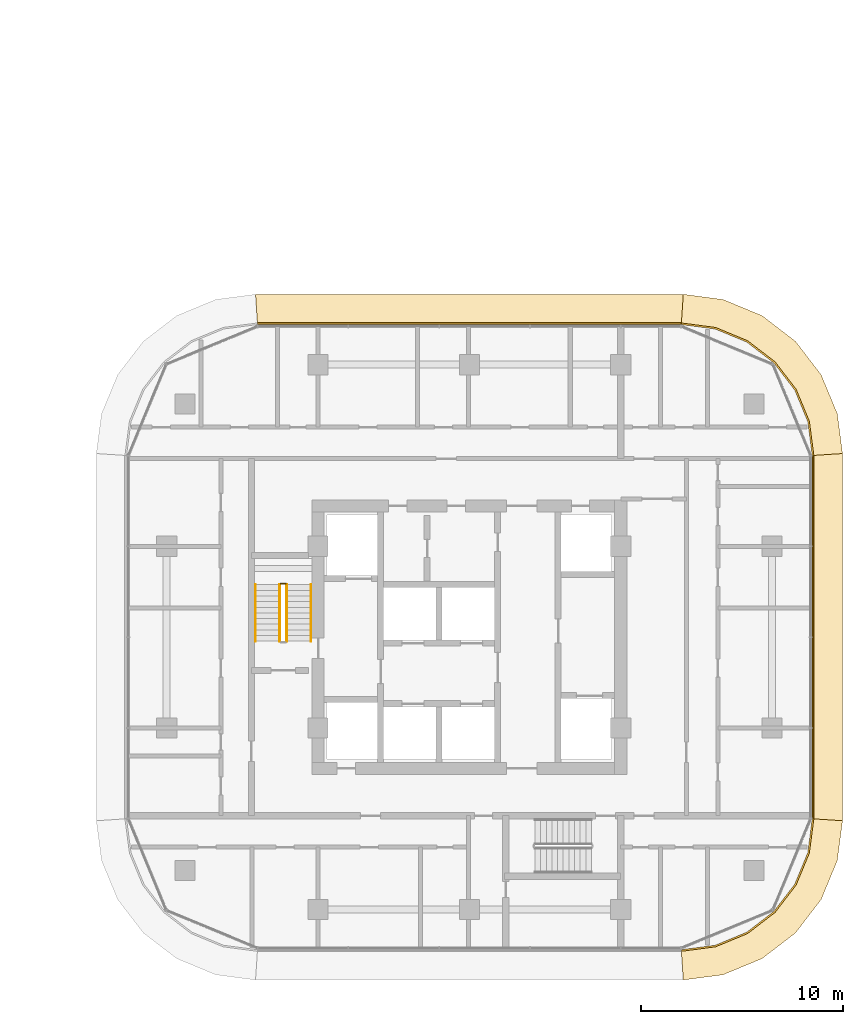
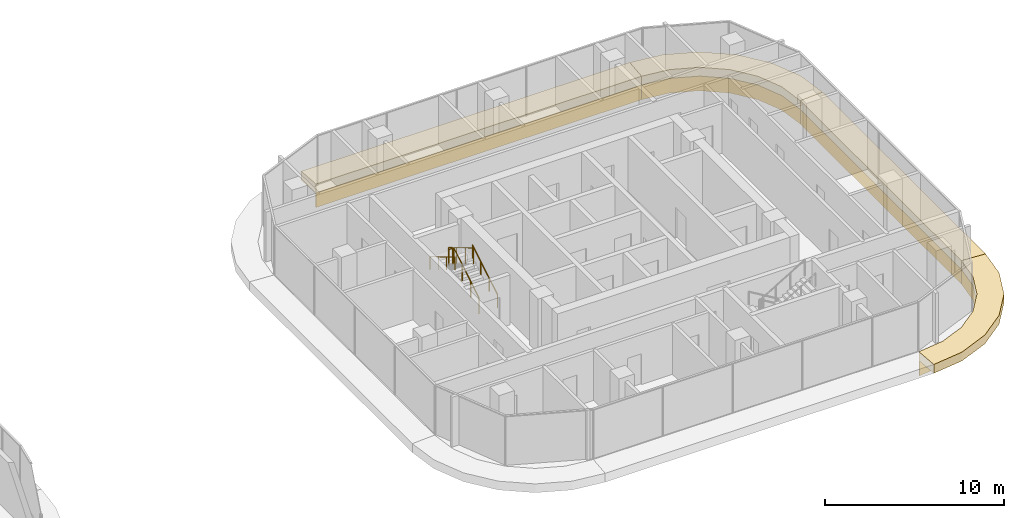
# One storey, part 36 of 36: 8 coverings, 5 railings.
"""IFC4 building model written with IfcOpenShell, lengths in metres."""

from ifc_helpers import new_model, si_unit, direction, frame, origin, origin_2d, place, context, subcontext, project, spatial, polyline, circle, outline, extrude, material, layer, layer_set, type_object, element, save


model = new_model("IFC4")

# Units and contexts
model_context = context("Model", 3, precision=1e-05, world=origin(), true_north=direction((0.0, 1.0)))
body_context = subcontext(model_context, "Body", "Model", "MODEL_VIEW")
ifc_project = project(units=[si_unit("LENGTHUNIT", "METRE"), si_unit("AREAUNIT", "SQUARE_METRE"), si_unit("VOLUMEUNIT", "CUBIC_METRE"), si_unit("PLANEANGLEUNIT", "RADIAN"), si_unit("MASSUNIT", "GRAM", prefix="KILO")], contexts=[model_context])

# Site, building, storey
site_placement = place(None, origin())
site = spatial("IfcSite", under=ifc_project, at=site_placement, CompositionType="ELEMENT")
building_placement = place(site_placement, origin())
building = spatial("IfcBuilding", under=site, at=building_placement, Name="Ogive Portal Towers", CompositionType="ELEMENT")
storey_placement = place(building_placement, frame((0.0, 0.0, 52.0)))
storey = spatial("IfcBuildingStorey", under=building, at=storey_placement, Name="L11", CompositionType="ELEMENT", Elevation=52.0)

# Railings
ifc_material_1 = material(Name="Stainless steel balustrade", Category="steel")
railing_type_1 = type_object("IfcRailingType", Name="INT-GUARD", PredefinedType="GUARDRAIL", material=ifc_material_1)
railing_1_placement = place(storey_placement, frame((127.449951171875, 30.800048828125, 0.168212890625)))
element("IfcRailing", 1, at=railing_1_placement, inside=storey, type_object=railing_type_1, Name="L11 ST-B1 stair guard 1", PredefinedType="GUARDRAIL", context=body_context, shape_type="SweptSolid", body=[
    extrude(circle(Radius=0.02392578125, at=origin_2d()), frame((0.0, 0.0, 1.076171875), z_axis=(0.0, 0.857242210791, 0.514913383045), x_axis=(-1.0, 0.0, 0.0)), (0.0, 0.0, 1.0), 3.266357421875),
    extrude(circle(Radius=0.02099609375, at=origin_2d()), origin(), (0.0, 0.0, 1.0), 1.052001953125),
    extrude(circle(Radius=0.02099609375, at=origin_2d()), frame((0.0, 0.933349609375, 0.560546875)), (0.0, 0.0, 1.0), 1.052001953125),
    extrude(circle(Radius=0.02099609375, at=origin_2d()), frame((0.0, 1.86669921875, 1.121337890625)), (0.0, 0.0, 1.0), 1.052001953125),
    extrude(circle(Radius=0.02099609375, at=origin_2d()), frame((0.0, 2.800048828125, 1.681884765625)), (0.0, 0.0, 1.0), 1.052001953125),
])
railing_2_placement = place(storey_placement, frame((127.39990234375, 33.64990234375, 1.85009765625)))
element("IfcRailing", 2, at=railing_2_placement, inside=storey, type_object=railing_type_1, Name="L11 ST-B1 stair guard 2", PredefinedType="GUARDRAIL", context=body_context, shape_type="SweptSolid", body=[
    extrude(circle(Radius=0.02392578125, at=origin_2d()), frame((0.0, 0.0, 1.076171875), z_axis=(-1.0, 0.0, 0.0), x_axis=(0.0, -1.0, 0.0)), (0.0, 0.0, 1.0), 0.25),
    extrude(circle(Radius=0.02099609375, at=origin_2d()), origin(), (0.0, 0.0, 1.0), 1.052001953125),
    extrude(circle(Radius=0.02099609375, at=origin_2d()), frame((-0.25, 0.0, 0.0)), (0.0, 0.0, 1.0), 1.052001953125),
])
railing_3_placement = place(storey_placement, frame((127.10009765625, 33.60009765625, 2.01806640625)))
element("IfcRailing", 3, at=railing_3_placement, inside=storey, type_object=railing_type_1, Name="L11 ST-B1 stair guard 3", PredefinedType="GUARDRAIL", context=body_context, shape_type="SweptSolid", body=[
    extrude(circle(Radius=0.02392578125, at=origin_2d()), frame((0.0, 0.0, 1.076171875), z_axis=(0.0, -0.857242210791, 0.514913383045), x_axis=(1.0, 0.0, 0.0)), (0.0, 0.0, 1.0), 3.266357421875),
    extrude(circle(Radius=0.02099609375, at=origin_2d()), origin(), (0.0, 0.0, 1.0), 1.052001953125),
    extrude(circle(Radius=0.02099609375, at=origin_2d()), frame((0.0, -0.933349609375, 0.560546875)), (0.0, 0.0, 1.0), 1.052001953125),
    extrude(circle(Radius=0.02099609375, at=origin_2d()), frame((0.0, -1.86669921875, 1.121337890625)), (0.0, 0.0, 1.0), 1.052001953125),
    extrude(circle(Radius=0.02099609375, at=origin_2d()), frame((0.0, -2.800048828125, 1.681884765625)), (0.0, 0.0, 1.0), 1.052001953125),
])
ifc_material_2 = material(Name="Stainless steel handrail", Category="steel")
railing_type_2 = type_object("IfcRailingType", Name="INT-HANDRAIL", PredefinedType="HANDRAIL", material=ifc_material_2)
railing_4_placement = place(storey_placement, frame((128.64990234375, 30.800048828125, 0.168212890625)))
element("IfcRailing", 4, at=railing_4_placement, inside=storey, type_object=railing_type_2, Name="L11 ST-B1 stair handrail 1", PredefinedType="HANDRAIL", context=body_context, shape_type="SweptSolid", body=[
    extrude(circle(Radius=0.02392578125, at=origin_2d()), frame((0.0, 0.0, 0.8759765625), z_axis=(0.0, 0.857242210791, 0.514913383045), x_axis=(-1.0, 0.0, 0.0)), (0.0, 0.0, 1.0), 3.266357421875),
    extrude(circle(Radius=0.02099609375, at=origin_2d()), origin(), (0.0, 0.0, 1.0), 0.851806640625),
    extrude(circle(Radius=0.02099609375, at=origin_2d()), frame((0.0, 0.933349609375, 0.560546875)), (0.0, 0.0, 1.0), 0.851806640625),
    extrude(circle(Radius=0.02099609375, at=origin_2d()), frame((0.0, 1.86669921875, 1.121337890625)), (0.0, 0.0, 1.0), 0.851806640625),
    extrude(circle(Radius=0.02099609375, at=origin_2d()), frame((0.0, 2.800048828125, 1.681884765625)), (0.0, 0.0, 1.0), 0.851806640625),
])
railing_5_placement = place(storey_placement, frame((125.89990234375, 33.60009765625, 2.01806640625)))
element("IfcRailing", 5, at=railing_5_placement, inside=storey, type_object=railing_type_2, Name="L11 ST-B1 stair handrail 2", PredefinedType="HANDRAIL", context=body_context, shape_type="SweptSolid", body=[
    extrude(circle(Radius=0.02392578125, at=origin_2d()), frame((0.0, 0.0, 0.8759765625), z_axis=(0.0, -0.857242210791, 0.514913383045), x_axis=(1.0, 0.0, 0.0)), (0.0, 0.0, 1.0), 3.266357421875),
    extrude(circle(Radius=0.02099609375, at=origin_2d()), origin(), (0.0, 0.0, 1.0), 0.851806640625),
    extrude(circle(Radius=0.02099609375, at=origin_2d()), frame((0.0, -0.933349609375, 0.560546875)), (0.0, 0.0, 1.0), 0.851806640625),
    extrude(circle(Radius=0.02099609375, at=origin_2d()), frame((0.0, -1.86669921875, 1.121337890625)), (0.0, 0.0, 1.0), 0.851806640625),
    extrude(circle(Radius=0.02099609375, at=origin_2d()), frame((0.0, -2.800048828125, 1.681884765625)), (0.0, 0.0, 1.0), 0.851806640625),
])

# Coverings
ifc_material_3 = material(Name="Limestone cladding on lightweight block wall", Category="masonry")
ifc_layer_1 = layer(ifc_material_3, 0.080078125)
ifc_layer_set_1 = layer_set([ifc_layer_1], Name="STONE SPANDREL 80")
covering_type_1 = type_object("IfcCoveringType", Name="STONE SPANDREL 80", PredefinedType="CLADDING", material=ifc_layer_set_1)
covering_1_placement = place(storey_placement, frame((0.0, 0.0, -1.60009765625)))
element("IfcCovering", 6, at=covering_1_placement, inside=storey, type_object=covering_type_1, Name="Stone spandrel B1-F03", PredefinedType="CLADDING", context=body_context, shape_type="SweptSolid", body=[
    extrude(outline(polyline([(147.0, 15.510009765625), (148.6796875, 15.731201171875), (150.2451171875, 16.37939453125), (151.589111328125, 17.410888671875), (152.62060546875, 18.7548828125), (153.268798828125, 20.3203125), (153.489990234375, 22.0), (153.570068359375, 21.994873046875), (153.3466796875, 20.29931640625), (152.6904296875, 18.714599609375), (151.646240234375, 17.353759765625), (150.285400390625, 16.3095703125), (148.70068359375, 15.6533203125), (147.005126953125, 15.429931640625), (147.0, 15.510009765625)])), origin(), (0.0, 0.0, 1.0), 1.0),
])
covering_2_placement = place(storey_placement, frame((0.0, 0.0, -1.60009765625)))
element("IfcCovering", 7, at=covering_2_placement, inside=storey, type_object=covering_type_1, Name="Stone spandrel B1-F04", PredefinedType="CLADDING", context=body_context, shape_type="SweptSolid", body=[
    extrude(outline(polyline([(153.489990234375, 22.0), (153.489990234375, 40.0), (153.570068359375, 40.005126953125), (153.570068359375, 21.994873046875), (153.489990234375, 22.0)])), origin(), (0.0, 0.0, 1.0), 1.0),
])
covering_3_placement = place(storey_placement, frame((0.0, 0.0, -1.60009765625)))
element("IfcCovering", 8, at=covering_3_placement, inside=storey, type_object=covering_type_1, Name="Stone spandrel B1-F05", PredefinedType="CLADDING", context=body_context, shape_type="SweptSolid", body=[
    extrude(outline(polyline([(153.489990234375, 40.0), (153.268798828125, 41.6796875), (152.62060546875, 43.2451171875), (151.589111328125, 44.589111328125), (150.2451171875, 45.62060546875), (148.6796875, 46.268798828125), (147.0, 46.489990234375), (147.005126953125, 46.570068359375), (148.70068359375, 46.3466796875), (150.285400390625, 45.6904296875), (151.646240234375, 44.646240234375), (152.6904296875, 43.285400390625), (153.3466796875, 41.70068359375), (153.570068359375, 40.005126953125), (153.489990234375, 40.0)])), origin(), (0.0, 0.0, 1.0), 1.0),
])
covering_4_placement = place(storey_placement, frame((0.0, 0.0, -1.60009765625)))
element("IfcCovering", 9, at=covering_4_placement, inside=storey, type_object=covering_type_1, Name="Stone spandrel B1-F06", PredefinedType="CLADDING", context=body_context, shape_type="SweptSolid", body=[
    extrude(outline(polyline([(147.0, 46.489990234375), (126.0, 46.489990234375), (125.994873046875, 46.570068359375), (147.005126953125, 46.570068359375), (147.0, 46.489990234375)])), origin(), (0.0, 0.0, 1.0), 1.0),
])
ifc_layer_2 = layer(ifc_material_3, 0.60009765625)
ifc_layer_set_2 = layer_set([ifc_layer_2], Name="SUNSHADE LIP 600")
covering_type_2 = type_object("IfcCoveringType", Name="SUNSHADE LIP 600", PredefinedType="CLADDING", material=ifc_layer_set_2)
covering_5_placement = place(storey_placement, frame((0.0, 0.0, -0.60009765625)))
element("IfcCovering", 10, at=covering_5_placement, inside=storey, type_object=covering_type_2, Name="Sunshade lip B1-F03", PredefinedType="CLADDING", context=body_context, shape_type="SweptSolid", body=[
    extrude(outline(polyline([(147.0, 15.510009765625), (148.6796875, 15.731201171875), (150.2451171875, 16.37939453125), (151.589111328125, 17.410888671875), (152.62060546875, 18.7548828125), (153.268798828125, 20.3203125), (153.489990234375, 22.0), (154.989990234375, 21.901611328125), (154.730224609375, 19.9287109375), (153.9306640625, 17.99853515625), (152.658935546875, 16.341064453125), (151.00146484375, 15.0693359375), (149.0712890625, 14.269775390625), (147.098388671875, 14.010009765625), (147.0, 15.510009765625)])), origin(), (0.0, 0.0, 1.0), 0.60009765625),
])
covering_6_placement = place(storey_placement, frame((0.0, 0.0, -0.60009765625)))
element("IfcCovering", 11, at=covering_6_placement, inside=storey, type_object=covering_type_2, Name="Sunshade lip B1-F04", PredefinedType="CLADDING", context=body_context, shape_type="SweptSolid", body=[
    extrude(outline(polyline([(153.489990234375, 22.0), (153.489990234375, 40.0), (154.989990234375, 40.098388671875), (154.989990234375, 21.901611328125), (153.489990234375, 22.0)])), origin(), (0.0, 0.0, 1.0), 0.60009765625),
])
covering_7_placement = place(storey_placement, frame((0.0, 0.0, -0.60009765625)))
element("IfcCovering", 12, at=covering_7_placement, inside=storey, type_object=covering_type_2, Name="Sunshade lip B1-F05", PredefinedType="CLADDING", context=body_context, shape_type="SweptSolid", body=[
    extrude(outline(polyline([(153.489990234375, 40.0), (153.268798828125, 41.6796875), (152.62060546875, 43.2451171875), (151.589111328125, 44.589111328125), (150.2451171875, 45.62060546875), (148.6796875, 46.268798828125), (147.0, 46.489990234375), (147.098388671875, 47.989990234375), (149.0712890625, 47.730224609375), (151.00146484375, 46.9306640625), (152.658935546875, 45.658935546875), (153.9306640625, 44.00146484375), (154.730224609375, 42.0712890625), (154.989990234375, 40.098388671875), (153.489990234375, 40.0)])), origin(), (0.0, 0.0, 1.0), 0.60009765625),
])
covering_8_placement = place(storey_placement, frame((0.0, 0.0, -0.60009765625)))
element("IfcCovering", 13, at=covering_8_placement, inside=storey, type_object=covering_type_2, Name="Sunshade lip B1-F06", PredefinedType="CLADDING", context=body_context, shape_type="SweptSolid", body=[
    extrude(outline(polyline([(147.0, 46.489990234375), (126.0, 46.489990234375), (125.901611328125, 47.989990234375), (147.098388671875, 47.989990234375), (147.0, 46.489990234375)])), origin(), (0.0, 0.0, 1.0), 0.60009765625),
])

save(model, "model.ifc")
